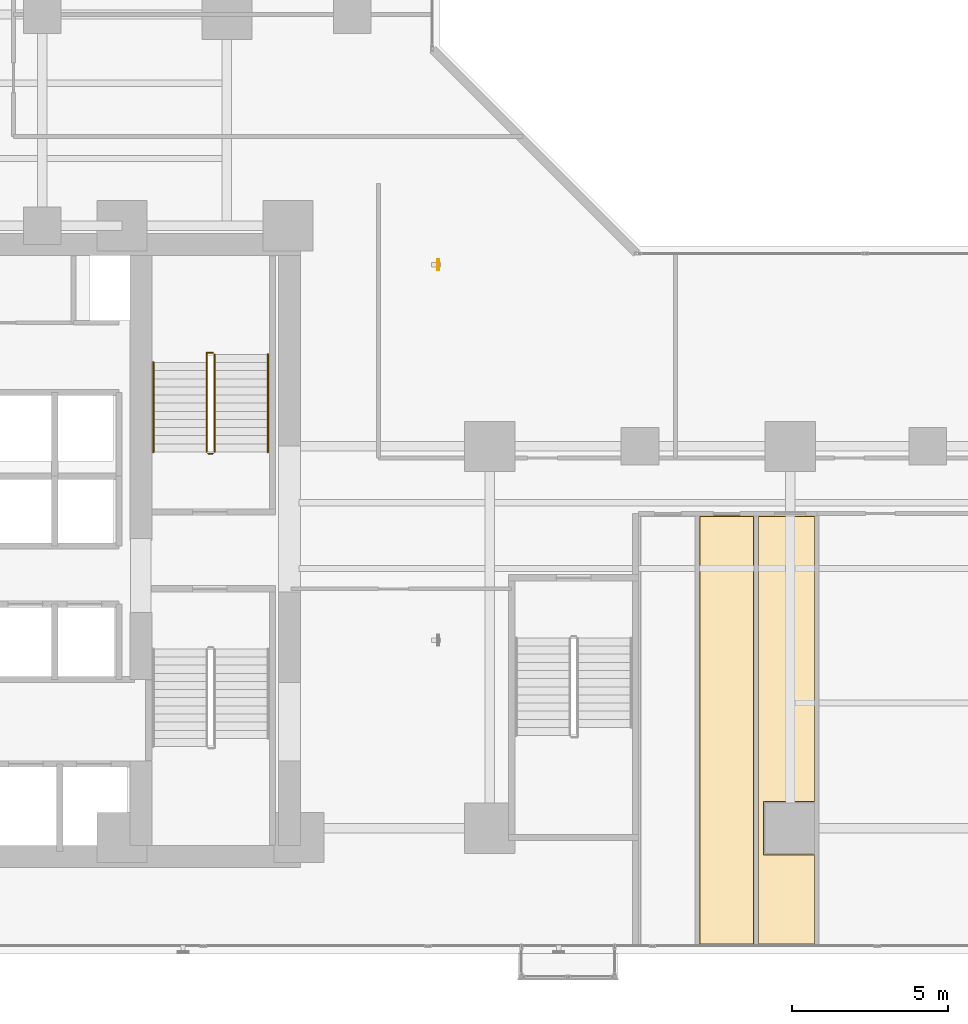
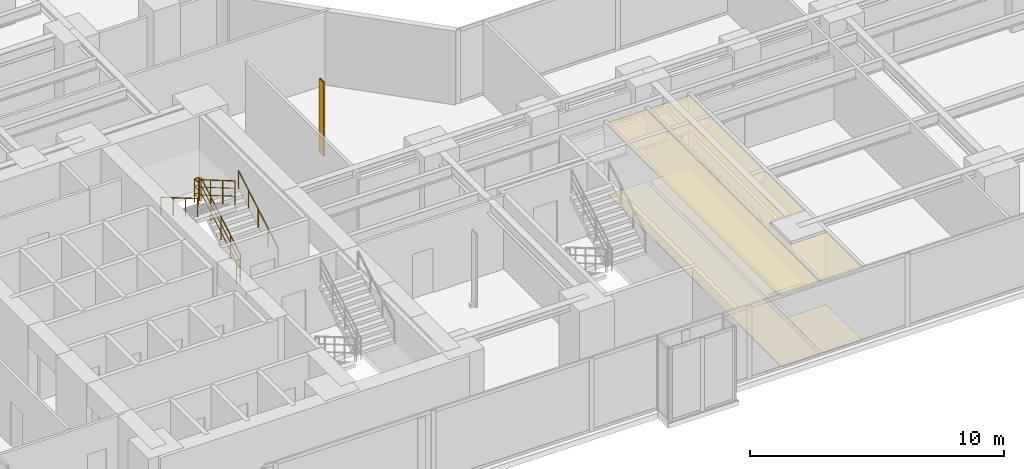
# One storey, part 26 of 27: 6 railings, 4 coverings, 1 shading device.
"""IFC4 building model written with IfcOpenShell, lengths in metres."""

import ifcopenshell
import ifcopenshell.guid

model = None  # the IFC model being written
_history = None  # IfcOwnerHistory: only IFC2X3 demands one
_inside = {}  # id of a spatial element -> (the spatial element, [elements in it])
_under = {}  # id of a project, library or spatial element -> (it, [spatial elements below it])
_declared = {}  # id of a project -> (the project, [libraries it declares])
_typed = {}  # id of a type object -> (the type object, [elements of that type])
_made_of = {}  # id of a material, layer set ... -> (it, [elements and type objects made of it])


def new_model(schema):
    """Start an empty IFC model of exactly this schema.

    Asked for "IFC4X3", IfcOpenShell would pick the latest addendum, in which some entities
    have other attributes; the version numbers below select the first issue.
    IFC2X3 requires an IfcOwnerHistory on every rooted entity: one is made here for all.
    """
    global model, _history
    if schema == "IFC4X3":
        model = ifcopenshell.file(schema_version=(4, 3, 0, 0))
    else:
        model = ifcopenshell.file(schema=schema)
    _inside.clear()
    _under.clear()
    _declared.clear()
    _typed.clear()
    _made_of.clear()
    _history = None
    if model.schema == "IFC2X3":
        org = make("IfcOrganization", Name="unknown")
        user = make(
            "IfcPersonAndOrganization",
            ThePerson=make("IfcPerson", FamilyName="unknown"),
            TheOrganization=org,
        )
        app = make(
            "IfcApplication",
            ApplicationDeveloper=org,
            Version="unknown",
            ApplicationFullName="unknown",
            ApplicationIdentifier="unknown",
        )
        _history = make(
            "IfcOwnerHistory",
            OwningUser=user,
            OwningApplication=app,
            ChangeAction="ADDED",
            CreationDate=0,
        )
    return model


def make(cls, **values):
    """One entity of the class cls with the attributes given. An attribute that is None is left unset."""
    return model.create_entity(
        cls, **{name: value for name, value in values.items() if value is not None}
    )


def rooted(cls, **values):
    """An entity with a GlobalId (a new one), such as an element, a storey or a relation."""
    return make(cls, GlobalId=ifcopenshell.guid.new(), OwnerHistory=_history, **values)


def si_unit(unit_type, name, prefix=None):
    """IfcSIUnit, for example si_unit("LENGTHUNIT", "METRE", prefix="MILLI")."""
    return make("IfcSIUnit", UnitType=unit_type, Prefix=prefix, Name=name)


def assignment(units):
    """IfcUnitAssignment: the units of a project."""
    return None if units is None else make("IfcUnitAssignment", Units=units)


def point(xyz):
    """IfcCartesianPoint."""
    return None if xyz is None else make("IfcCartesianPoint", Coordinates=xyz)


def direction(xyz):
    """IfcDirection."""
    return None if xyz is None else make("IfcDirection", DirectionRatios=xyz)


def frame(location, z_axis=None, x_axis=None):
    """IfcAxis2Placement3D, a coordinate frame: its origin and axes. An axis left out is left unset."""
    return make(
        "IfcAxis2Placement3D",
        Location=point(location),
        Axis=direction(z_axis),
        RefDirection=direction(x_axis),
    )


def frame_2d(location, x_axis=None):
    """IfcAxis2Placement2D, a coordinate frame in the plane: its origin and x axis."""
    return make(
        "IfcAxis2Placement2D", Location=point(location), RefDirection=direction(x_axis)
    )


def origin():
    """The frame at (0, 0, 0) with its axes left unset."""
    return frame((0.0, 0.0, 0.0))


def origin_2d():
    """The frame at (0, 0) in the plane with its x axis left unset."""
    return frame_2d((0.0, 0.0))


def place(relative_to, where):
    """IfcLocalPlacement: puts the frame where relative to a parent placement (None: the world)."""
    return make(
        "IfcLocalPlacement", PlacementRelTo=relative_to, RelativePlacement=where
    )


def context(
    kind, dimensions, precision=None, world=None, true_north=None, identifier=None
):
    """IfcGeometricRepresentationContext, for example the 3D "Model" context."""
    return make(
        "IfcGeometricRepresentationContext",
        ContextIdentifier=identifier,
        ContextType=kind,
        CoordinateSpaceDimension=dimensions,
        Precision=precision,
        WorldCoordinateSystem=world,
        TrueNorth=true_north,
    )


def subcontext(parent, identifier, kind, view, scale=None):
    """IfcGeometricRepresentationSubContext, for example "Body" below "Model"."""
    return make(
        "IfcGeometricRepresentationSubContext",
        ContextIdentifier=identifier,
        ContextType=kind,
        ParentContext=parent,
        TargetScale=scale,
        TargetView=view,
    )


def project(units=None, contexts=None):
    """IfcProject with its units and contexts."""
    return rooted(
        "IfcProject",
        Name="project",
        RepresentationContexts=contexts,
        UnitsInContext=assignment(units),
    )


def spatial(cls, under=None, at=None, **own):
    """A site, building, storey or space (cls), placed at a placement, below another one or the project."""
    s = rooted(cls, ObjectPlacement=at, **own)
    if under is not None:
        _under.setdefault(under.id(), (under, []))[1].append(s)
    return s


def polyline(points):
    """IfcPolyline through the points."""
    return make("IfcPolyline", Points=[point(p) for p in points])


def profile(cls, at=None, kind="AREA", **sizes):
    """A parametric profile (cls). Its sizes go by their IFC names, for example OverallWidth=200.0."""
    return make(cls, ProfileType=kind, Position=at, **sizes)


def hollow_rectangle(**sizes):
    """IfcRectangleHollowProfileDef."""
    return profile("IfcRectangleHollowProfileDef", **sizes)


def circle(**sizes):
    """IfcCircleProfileDef."""
    return profile("IfcCircleProfileDef", **sizes)


def outline(outer, holes=None, kind="AREA"):
    """IfcArbitraryClosedProfileDef: a profile drawn as a closed curve; with holes, ...WithVoids."""
    if holes is None:
        return make("IfcArbitraryClosedProfileDef", ProfileType=kind, OuterCurve=outer)
    return make(
        "IfcArbitraryProfileDefWithVoids",
        ProfileType=kind,
        OuterCurve=outer,
        InnerCurves=holes,
    )


def extrude(swept, where, along, depth):
    """IfcExtrudedAreaSolid: the profile swept, set in the frame where, extruded along a direction by depth."""
    return make(
        "IfcExtrudedAreaSolid",
        SweptArea=swept,
        Position=where,
        ExtrudedDirection=direction(along),
        Depth=depth,
    )


def shape(context_of_items, identifier, shape_type, items):
    """IfcShapeRepresentation: the items that make up one representation, for example the "Body"."""
    return make(
        "IfcShapeRepresentation",
        ContextOfItems=context_of_items,
        RepresentationIdentifier=identifier,
        RepresentationType=shape_type,
        Items=items,
    )


def material(Name=None, Category=None):
    """IfcMaterial."""
    return make("IfcMaterial", Name=Name, Category=Category)


def layer(
    of_material, thickness, ventilated=None, Name=None, Category=None, Priority=None
):
    """IfcMaterialLayer: one layer of a wall or slab, of a material (None: an air gap)."""
    return make(
        "IfcMaterialLayer",
        Material=of_material,
        LayerThickness=thickness,
        IsVentilated=ventilated,
        Name=Name,
        Category=Category,
        Priority=Priority,
    )


def layer_set(layers, Name=None):
    """IfcMaterialLayerSet."""
    return make("IfcMaterialLayerSet", MaterialLayers=layers, LayerSetName=Name)


def material_profile(
    of_material, cross_section, Name=None, Category=None, Priority=None
):
    """IfcMaterialProfile: a cross section and its material."""
    return make(
        "IfcMaterialProfile",
        Name=Name,
        Material=of_material,
        Profile=cross_section,
        Priority=Priority,
        Category=Category,
    )


def profile_set(profiles, Name=None, composite=None):
    """IfcMaterialProfileSet."""
    return make(
        "IfcMaterialProfileSet",
        Name=Name,
        MaterialProfiles=profiles,
        CompositeProfile=composite,
    )


def made_of(thing, what):
    """Note that an element or type object is made of a material, layer set ...; save() writes the relation."""
    if what is not None:
        _made_of.setdefault(what.id(), (what, []))[1].append(thing)
    return thing


def type_object(cls, material=None, **own):
    """A type object (cls), such as IfcWallType, which elements share."""
    return made_of(rooted(cls, **own), material)


def element(
    cls,
    number,
    at=None,
    inside=None,
    cuts=None,
    type_object=None,
    material=None,
    context=None,
    identifier="Body",
    shape_type=None,
    held_by="IfcProductDefinitionShape",
    body=None,
    shapes=None,
    **own,
):
    """One element of the class cls, such as IfcWall. Its Tag is "e" and its number.

    at: its placement. inside: the storey or other place that contains it. cuts: it is an
    opening in that element (IfcRelVoidsElement). A single representation is given by context,
    identifier, shape_type and body (its items); several are given by shapes. held_by: the class
    of the entity that holds the representations. save() writes the other relations.
    """
    e = rooted(cls, Tag="e%d" % number, ObjectPlacement=at, **own)
    if body is not None:
        shapes = [shape(context, identifier, shape_type, body)]
    if shapes is not None:
        e.Representation = make(held_by, Representations=shapes)
    if inside is not None:
        _inside.setdefault(inside.id(), (inside, []))[1].append(e)
    if cuts is not None:
        rooted(
            "IfcRelVoidsElement", RelatingBuildingElement=cuts, RelatedOpeningElement=e
        )
    if type_object is not None:
        _typed.setdefault(type_object.id(), (type_object, []))[1].append(e)
    return made_of(e, material)


def aggregate(whole, parts):
    """IfcRelAggregates: a whole, such as a stair, and the parts it consists of."""
    return rooted("IfcRelAggregates", RelatingObject=whole, RelatedObjects=parts)


def save(model, path):
    """Write the relations noted so far, then the file.

    IfcRelAggregates (storeys below a building ...), IfcRelContainedInSpatialStructure (elements
    in a storey), IfcRelDefinesByType, IfcRelAssociatesMaterial and IfcRelDeclares: one each for
    every whole, place, type object, material and project.
    """
    for whole, parts in _under.values():
        aggregate(whole, parts)
    for where, things in _inside.values():
        rooted(
            "IfcRelContainedInSpatialStructure",
            RelatedElements=things,
            RelatingStructure=where,
        )
    for kind, things in _typed.values():
        rooted("IfcRelDefinesByType", RelatedObjects=things, RelatingType=kind)
    for what, things in _made_of.values():
        rooted("IfcRelAssociatesMaterial", RelatedObjects=things, RelatingMaterial=what)
    for by, libraries in _declared.values():
        rooted("IfcRelDeclares", RelatingContext=by, RelatedDefinitions=libraries)
    model.write(path)


model = new_model("IFC4")

# Units and contexts
model_context = context("Model", 3, precision=1e-05, world=origin(), true_north=direction((0.0, 1.0)))
body_context = subcontext(model_context, "Body", "Model", "MODEL_VIEW")
ifc_project = project(units=[si_unit("LENGTHUNIT", "METRE"), si_unit("AREAUNIT", "SQUARE_METRE"), si_unit("VOLUMEUNIT", "CUBIC_METRE"), si_unit("PLANEANGLEUNIT", "RADIAN"), si_unit("MASSUNIT", "GRAM", prefix="KILO")], contexts=[model_context])

# Site, building, storey
site_placement = place(None, origin())
site = spatial("IfcSite", under=ifc_project, at=site_placement, CompositionType="ELEMENT")
building_placement = place(site_placement, origin())
building = spatial("IfcBuilding", under=site, at=building_placement, Name="Kolvaren Waterfront Exchange", CompositionType="ELEMENT")
storey_placement = place(building_placement, frame((0.0, 0.0, 33.39990234375)))
storey = spatial("IfcBuildingStorey", under=building, at=storey_placement, Name="L08", CompositionType="ELEMENT", Elevation=33.39990234375)

# Coverings
ifc_material_1 = material(Name="Mineral fibre acoustic ceiling tile")
ifc_layer_1 = layer(ifc_material_1, 0.02490234375, Name="Mineral fibre acoustic ceiling tile")
ifc_layer_set_1 = layer_set([ifc_layer_1], Name="Mineral fibre acoustic ceiling tile")
covering_type_1 = type_object("IfcCoveringType", Name="ARC-CEIL-ACOUSTIC-25", PredefinedType="CEILING", material=ifc_layer_set_1)
covering_1_placement = place(storey_placement, frame((0.0, 0.0, 3.425048828125)))
element("IfcCovering", 1, at=covering_1_placement, inside=storey, type_object=covering_type_1, Name="L08 acoustic suspended ceiling 2", PredefinedType="CEILING", context=body_context, shape_type="SweptSolid", body=[
    extrude(outline(polyline([(35.6650390625, 1.465087890625), (35.6650390625, 15.195068359375), (33.875, 15.195068359375), (33.875, 1.465087890625), (35.6650390625, 1.465087890625)])), origin(), (0.0, 0.0, 1.0), 0.025146484375),
])
covering_2_placement = place(storey_placement, frame((0.0, 0.0, 3.425048828125)))
element("IfcCovering", 2, at=covering_2_placement, inside=storey, type_object=covering_type_1, Name="L08 acoustic suspended ceiling 3", PredefinedType="CEILING", context=body_context, shape_type="SweptSolid", body=[
    extrude(outline(polyline([(37.60498046875, 4.360107421875), (35.9599609375, 4.360107421875), (35.9599609375, 6.0400390625), (37.60498046875, 6.0400390625), (37.60498046875, 15.195068359375), (35.7548828125, 15.195068359375), (35.7548828125, 1.465087890625), (37.60498046875, 1.465087890625), (37.60498046875, 4.360107421875)])), origin(), (0.0, 0.0, 1.0), 0.025146484375),
])

# Shading device
ifc_material_2 = material(Name="Anodised bronze aluminium 6063-T6", Category="aluminium")
ifc_material_profile = material_profile(ifc_material_2, hollow_rectangle(XDim=0.06005859375, YDim=0.35009765625, WallThickness=0.0048828125, at=origin_2d()), Name="BRZ-FIN-350x60x5")
ifc_profile_set = profile_set([ifc_material_profile], Name="Anodised bronze aluminium 6063-T6")
shading_device_type = type_object("IfcShadingDeviceType", Name="ARC-FIN-350", PredefinedType="USERDEFINED", material=ifc_profile_set)
shading_device_placement = place(storey_placement, frame((25.56005859375, 23.199951171875, 0.0), z_axis=(0.0, 0.0, 1.0), x_axis=(1.0, 0.0, 0.0)))
element("IfcShadingDevice", 3, at=shading_device_placement, inside=storey, type_object=shading_device_type, Name="L08 anodised bronze solar shading fin FIN-L08-E2", ObjectType="SOLAR FIN", PredefinedType="USERDEFINED", context=body_context, shape_type="SweptSolid", body=[
    extrude(hollow_rectangle(XDim=0.06005859375, YDim=0.35009765625, WallThickness=0.0048828125, at=origin_2d()), origin(), (0.0, 0.0, 1.0), 3.5400390625),
])

# Coverings
ifc_material_3 = material(Name="Slip-resistant porcelain tile")
ifc_layer_2 = layer(ifc_material_3, 0.014892578125, Name="Slip-resistant porcelain tile")
ifc_layer_set_2 = layer_set([ifc_layer_2], Name="Slip-resistant porcelain tile")
covering_type_2 = type_object("IfcCoveringType", Name="ARC-FLR-PORC-15", PredefinedType="FLOORING", material=ifc_layer_set_2)
covering_3_placement = place(storey_placement, origin())
element("IfcCovering", 4, at=covering_3_placement, inside=storey, type_object=covering_type_2, Name="L08 floor finish 2", PredefinedType="FLOORING", context=body_context, shape_type="SweptSolid", body=[
    extrude(outline(polyline([(33.909912109375, 15.159912109375), (33.909912109375, 1.5), (35.6298828125, 1.5), (35.6298828125, 15.159912109375), (33.909912109375, 15.159912109375)])), origin(), (0.0, 0.0, 1.0), 0.01513671875),
])
covering_4_placement = place(storey_placement, origin())
element("IfcCovering", 5, at=covering_4_placement, inside=storey, type_object=covering_type_2, Name="L08 floor finish 3", PredefinedType="FLOORING", context=body_context, shape_type="SweptSolid", body=[
    extrude(outline(polyline([(35.7900390625, 15.159912109375), (35.7900390625, 1.5), (37.570068359375, 1.5), (37.570068359375, 4.340087890625), (35.93994140625, 4.340087890625), (35.93994140625, 6.06005859375), (37.570068359375, 6.06005859375), (37.570068359375, 15.159912109375), (35.7900390625, 15.159912109375)])), origin(), (0.0, 0.0, 1.0), 0.01513671875),
])

# Railings
ifc_material_4 = material(Name="Stainless steel 316", Category="steel")
railing_type_1 = type_object("IfcRailingType", Name="ARC-GUARD-STAIR", PredefinedType="GUARDRAIL", material=ifc_material_4)
railing_1_placement = place(storey_placement, frame((18.409912109375, 17.219970703125, 0.152099609375)))
element("IfcRailing", 6, at=railing_1_placement, inside=storey, type_object=railing_type_1, Name="L08 ST2 stair guard 1", PredefinedType="GUARDRAIL", context=body_context, shape_type="SweptSolid", body=[
    extrude(circle(Radius=0.02392578125, at=origin_2d()), frame((0.0, 0.0, 1.1259765625), z_axis=(0.0, 0.86330811405, 0.504677223793), x_axis=(-1.0, 0.0, 0.0)), (0.0, 0.0, 1.0), 3.6142578125),
    extrude(circle(Radius=0.01611328125, at=origin_2d()), frame((0.0, 0.0, 0.390869140625), z_axis=(0.0, 0.86330811405, 0.504677223793), x_axis=(-1.0, 0.0, 0.0)), (0.0, 0.0, 1.0), 3.6142578125),
    extrude(circle(Radius=0.01611328125, at=origin_2d()), frame((0.0, 0.0, 0.7705078125), z_axis=(0.0, 0.86330811405, 0.504677223793), x_axis=(-1.0, 0.0, 0.0)), (0.0, 0.0, 1.0), 3.6142578125),
    extrude(circle(Radius=0.02099609375, at=origin_2d()), origin(), (0.0, 0.0, 1.0), 1.101806640625),
    extrude(circle(Radius=0.02099609375, at=origin_2d()), frame((0.0, 0.780029296875, 0.4560546875)), (0.0, 0.0, 1.0), 1.101806640625),
    extrude(circle(Radius=0.02099609375, at=origin_2d()), frame((0.0, 1.56005859375, 0.912109375)), (0.0, 0.0, 1.0), 1.101806640625),
    extrude(circle(Radius=0.02099609375, at=origin_2d()), frame((0.0, 2.340087890625, 1.367919921875)), (0.0, 0.0, 1.0), 1.101806640625),
    extrude(circle(Radius=0.02099609375, at=origin_2d()), frame((0.0, 3.1201171875, 1.823974609375)), (0.0, 0.0, 1.0), 1.101806640625),
])
railing_2_placement = place(storey_placement, frame((18.360107421875, 20.389892578125, 1.97607421875)))
element("IfcRailing", 7, at=railing_2_placement, inside=storey, type_object=railing_type_1, Name="L08 ST2 stair guard 2", PredefinedType="GUARDRAIL", context=body_context, shape_type="SweptSolid", body=[
    extrude(circle(Radius=0.02392578125, at=origin_2d()), frame((0.0, 0.0, 1.1259765625), z_axis=(-1.0, 0.0, 0.0), x_axis=(0.0, -1.0, 0.0)), (0.0, 0.0, 1.0), 0.210205078125),
    extrude(circle(Radius=0.01611328125, at=origin_2d()), frame((0.0, 0.0, 0.390869140625), z_axis=(-1.0, 0.0, 0.0), x_axis=(0.0, -1.0, 0.0)), (0.0, 0.0, 1.0), 0.210205078125),
    extrude(circle(Radius=0.01611328125, at=origin_2d()), frame((0.0, 0.0, 0.7705078125), z_axis=(-1.0, 0.0, 0.0), x_axis=(0.0, -1.0, 0.0)), (0.0, 0.0, 1.0), 0.210205078125),
    extrude(circle(Radius=0.02392578125, at=origin_2d()), frame((-0.210205078125, 0.0, 1.1259765625), z_axis=(0.0, -1.0, 0.0), x_axis=(1.0, 0.0, 0.0)), (0.0, 0.0, 1.0), 0.309814453125),
    extrude(circle(Radius=0.01611328125, at=origin_2d()), frame((-0.210205078125, 0.0, 0.390869140625), z_axis=(0.0, -1.0, 0.0), x_axis=(1.0, 0.0, 0.0)), (0.0, 0.0, 1.0), 0.309814453125),
    extrude(circle(Radius=0.01611328125, at=origin_2d()), frame((-0.210205078125, 0.0, 0.7705078125), z_axis=(0.0, -1.0, 0.0), x_axis=(1.0, 0.0, 0.0)), (0.0, 0.0, 1.0), 0.309814453125),
    extrude(circle(Radius=0.02099609375, at=origin_2d()), origin(), (0.0, 0.0, 1.0), 1.101806640625),
    extrude(circle(Radius=0.02099609375, at=origin_2d()), frame((-0.210205078125, 0.0, 0.0)), (0.0, 0.0, 1.0), 1.101806640625),
    extrude(circle(Radius=0.02099609375, at=origin_2d()), frame((-0.210205078125, -0.309814453125, 0.0)), (0.0, 0.0, 1.0), 1.101806640625),
])
railing_3_placement = place(storey_placement, frame((18.14990234375, 20.080078125, 2.128173828125)))
element("IfcRailing", 8, at=railing_3_placement, inside=storey, type_object=railing_type_1, Name="L08 ST2 stair guard 3", PredefinedType="GUARDRAIL", context=body_context, shape_type="SweptSolid", body=[
    extrude(circle(Radius=0.02392578125, at=origin_2d()), frame((0.0, 0.0, 1.1259765625), z_axis=(0.0, -0.863321491973, 0.504654338629), x_axis=(1.0, 0.0, 0.0)), (0.0, 0.0, 1.0), 3.31298828125),
    extrude(circle(Radius=0.01611328125, at=origin_2d()), frame((0.0, 0.0, 0.390869140625), z_axis=(0.0, -0.863321491973, 0.504654338629), x_axis=(1.0, 0.0, 0.0)), (0.0, 0.0, 1.0), 3.31298828125),
    extrude(circle(Radius=0.01611328125, at=origin_2d()), frame((0.0, 0.0, 0.7705078125), z_axis=(0.0, -0.863321491973, 0.504654338629), x_axis=(1.0, 0.0, 0.0)), (0.0, 0.0, 1.0), 3.31298828125),
    extrude(circle(Radius=0.02099609375, at=origin_2d()), origin(), (0.0, 0.0, 1.0), 1.101806640625),
    extrude(circle(Radius=0.02099609375, at=origin_2d()), frame((0.0, -0.953369140625, 0.557373046875)), (0.0, 0.0, 1.0), 1.101806640625),
    extrude(circle(Radius=0.02099609375, at=origin_2d()), frame((0.0, -1.90673828125, 1.114501953125)), (0.0, 0.0, 1.0), 1.101806640625),
    extrude(circle(Radius=0.02099609375, at=origin_2d()), frame((0.0, -2.860107421875, 1.671875)), (0.0, 0.0, 1.0), 1.101806640625),
])
railing_4_placement = place(storey_placement, frame((18.360107421875, 17.169921875, 0.0)))
element("IfcRailing", 9, at=railing_4_placement, inside=storey, type_object=railing_type_1, Name="L08 ST2 stair guard 4", PredefinedType="GUARDRAIL", context=body_context, shape_type="SweptSolid", body=[
    extrude(circle(Radius=0.02392578125, at=origin_2d()), frame((0.0, 0.0, 1.1259765625), z_axis=(-1.0, 0.0, 0.0), x_axis=(0.0, -1.0, 0.0)), (0.0, 0.0, 1.0), 0.16015625),
    extrude(circle(Radius=0.01611328125, at=origin_2d()), frame((0.0, 0.0, 0.390869140625), z_axis=(-1.0, 0.0, 0.0), x_axis=(0.0, -1.0, 0.0)), (0.0, 0.0, 1.0), 0.16015625),
    extrude(circle(Radius=0.01611328125, at=origin_2d()), frame((0.0, 0.0, 0.7705078125), z_axis=(-1.0, 0.0, 0.0), x_axis=(0.0, -1.0, 0.0)), (0.0, 0.0, 1.0), 0.16015625),
    extrude(circle(Radius=0.02099609375, at=origin_2d()), origin(), (0.0, 0.0, 1.0), 1.101806640625),
    extrude(circle(Radius=0.02099609375, at=origin_2d()), frame((-0.16015625, 0.0, 0.0)), (0.0, 0.0, 1.0), 1.101806640625),
])
railing_type_2 = type_object("IfcRailingType", Name="ARC-HANDRAIL-900", PredefinedType="HANDRAIL", material=ifc_material_4)
railing_5_placement = place(storey_placement, frame((20.110107421875, 17.219970703125, 0.152099609375)))
element("IfcRailing", 10, at=railing_5_placement, inside=storey, type_object=railing_type_2, Name="L08 ST2 stair handrail 1", PredefinedType="HANDRAIL", context=body_context, shape_type="SweptSolid", body=[
    extrude(circle(Radius=0.02392578125, at=origin_2d()), frame((0.0, 0.0, 0.8759765625), z_axis=(0.0, 0.86330811405, 0.504677223793), x_axis=(-1.0, 0.0, 0.0)), (0.0, 0.0, 1.0), 3.6142578125),
    extrude(circle(Radius=0.02099609375, at=origin_2d()), origin(), (0.0, 0.0, 1.0), 0.851806640625),
    extrude(circle(Radius=0.02099609375, at=origin_2d()), frame((0.0, 0.780029296875, 0.4560546875)), (0.0, 0.0, 1.0), 0.851806640625),
    extrude(circle(Radius=0.02099609375, at=origin_2d()), frame((0.0, 1.56005859375, 0.912109375)), (0.0, 0.0, 1.0), 0.851806640625),
    extrude(circle(Radius=0.02099609375, at=origin_2d()), frame((0.0, 2.340087890625, 1.367919921875)), (0.0, 0.0, 1.0), 0.851806640625),
    extrude(circle(Radius=0.02099609375, at=origin_2d()), frame((0.0, 3.1201171875, 1.823974609375)), (0.0, 0.0, 1.0), 0.851806640625),
])
railing_6_placement = place(storey_placement, frame((16.449951171875, 20.080078125, 2.128173828125)))
element("IfcRailing", 11, at=railing_6_placement, inside=storey, type_object=railing_type_2, Name="L08 ST2 stair handrail 2", PredefinedType="HANDRAIL", context=body_context, shape_type="SweptSolid", body=[
    extrude(circle(Radius=0.02392578125, at=origin_2d()), frame((0.0, 0.0, 0.8759765625), z_axis=(0.0, -0.863321491973, 0.504654338629), x_axis=(1.0, 0.0, 0.0)), (0.0, 0.0, 1.0), 3.31298828125),
    extrude(circle(Radius=0.02099609375, at=origin_2d()), origin(), (0.0, 0.0, 1.0), 0.851806640625),
    extrude(circle(Radius=0.02099609375, at=origin_2d()), frame((0.0, -0.953369140625, 0.557373046875)), (0.0, 0.0, 1.0), 0.851806640625),
    extrude(circle(Radius=0.02099609375, at=origin_2d()), frame((0.0, -1.90673828125, 1.114501953125)), (0.0, 0.0, 1.0), 0.851806640625),
    extrude(circle(Radius=0.02099609375, at=origin_2d()), frame((0.0, -2.860107421875, 1.671875)), (0.0, 0.0, 1.0), 0.851806640625),
])

save(model, "model.ifc")
